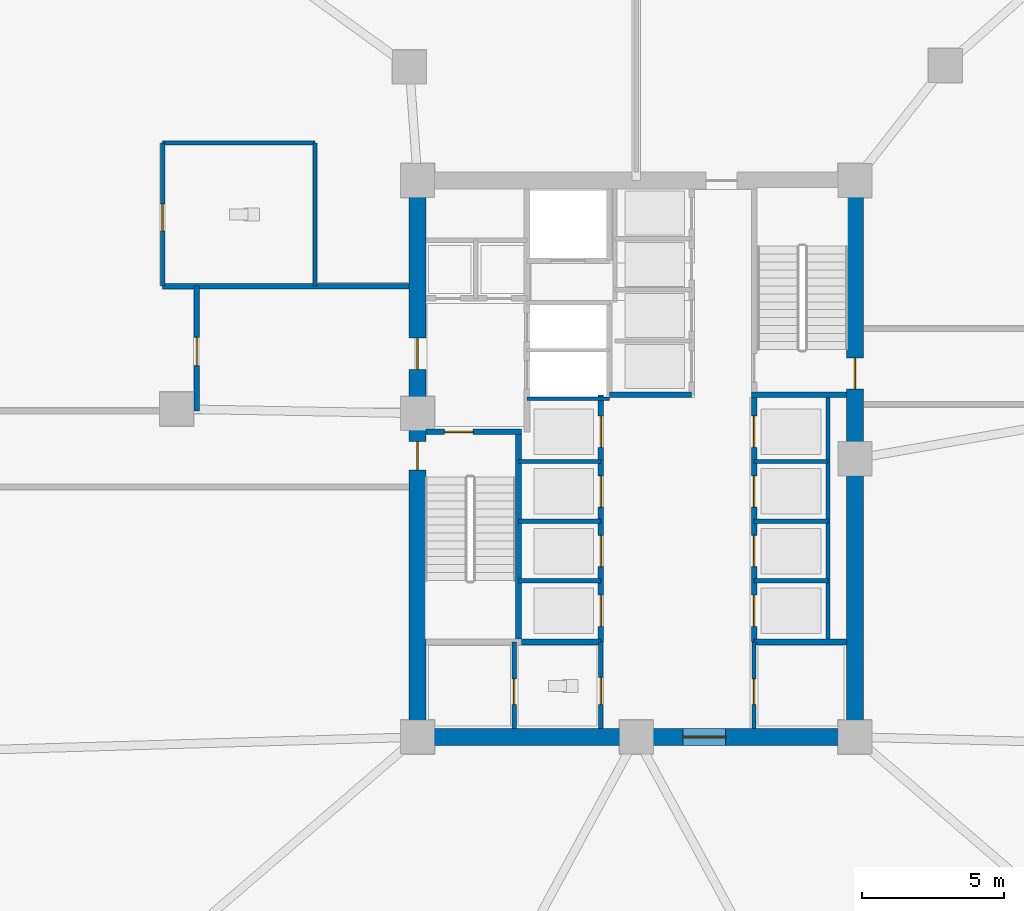
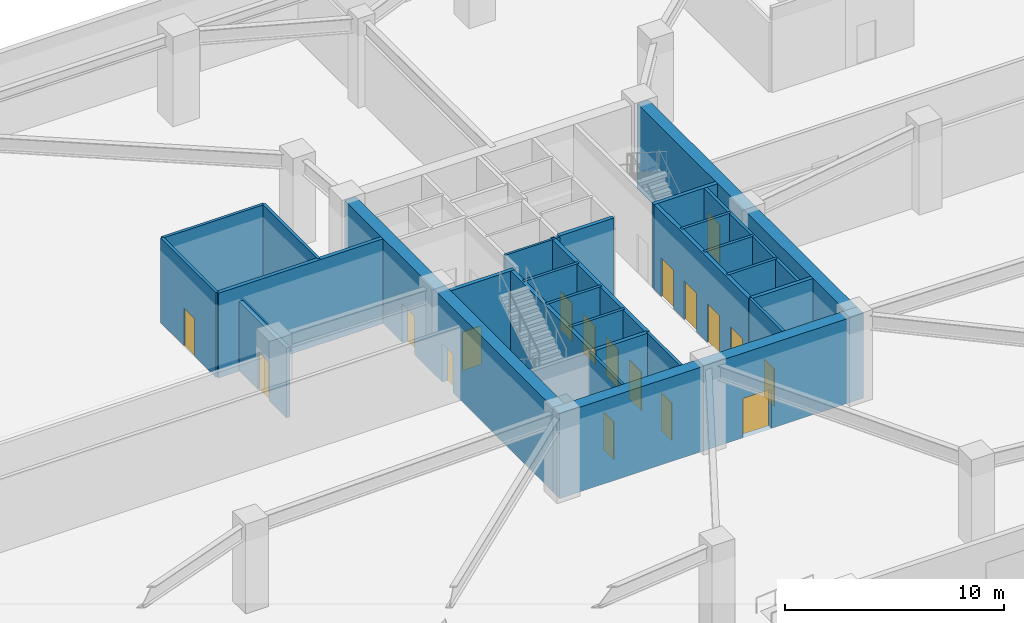
# One storey, part 10 of 22: 27 walls, 18 doors, 18 openings.
"""IFC4 building model written with IfcOpenShell, lengths in metres."""

from ifc_helpers import new_model, si_unit, direction, frame, frame_2d, origin, place, context, subcontext, project, spatial, rectangle, extrude, material, layer, layer_set, type_object, element, fill, save


model = new_model("IFC4")

# Units and contexts
model_context = context("Model", 3, precision=1e-05, world=origin(), true_north=direction((0.0, 1.0)))
body_context = subcontext(model_context, "Body", "Model", "MODEL_VIEW")
ifc_project = project(units=[si_unit("LENGTHUNIT", "METRE"), si_unit("AREAUNIT", "SQUARE_METRE"), si_unit("VOLUMEUNIT", "CUBIC_METRE"), si_unit("PLANEANGLEUNIT", "RADIAN"), si_unit("MASSUNIT", "GRAM", prefix="KILO")], contexts=[model_context])

# Site, building, storey
site_placement = place(None, origin())
site = spatial("IfcSite", under=ifc_project, at=site_placement, CompositionType="ELEMENT")
building_placement = place(site_placement, origin())
building = spatial("IfcBuilding", under=site, at=building_placement, Name="Savorim Split Tower", CompositionType="ELEMENT")
storey_placement = place(building_placement, origin())
storey = spatial("IfcBuildingStorey", under=building, at=storey_placement, Name="L00", CompositionType="ELEMENT", Elevation=0.0)

# Wall, opening, door
ifc_material_1 = material(Name="Concrete C60/75", Category="concrete")
ifc_layer_1 = layer(ifc_material_1, 0.60009765625)
ifc_layer_set_1 = layer_set([ifc_layer_1], Name="WAL-COR-SH600")
wall_type_1 = type_object("IfcWallType", Name="WAL-COR-SH600", PredefinedType="SHEAR", material=ifc_layer_set_1)
wall_1_placement = place(storey_placement, frame((-8.0, -9.39990234375, 0.0), z_axis=(0.0, 0.0, 1.0), x_axis=(1.0, 0.0, 0.0)))
wall_1 = element("IfcWall", 1, at=wall_1_placement, inside=storey, type_object=wall_type_1, Name="L00 Offset Core South Shear Wall", PredefinedType="SHEAR", context=body_context, shape_type="SweptSolid", body=[
    extrude(rectangle(XDim=16.0, YDim=0.60009765625, at=frame_2d((8.0, 0.0))), origin(), (0.0, 0.0, 1.0), 4.719970703125),
])
opening_1_placement = place(wall_1_placement, frame((9.64990234375, 0.0, 0.0)))
opening_1 = element("IfcOpeningElement", 2, at=opening_1_placement, cuts=wall_1, Name="Opening DI-02", PredefinedType="OPENING", context=body_context, shape_type="SweptSolid", body=[
    extrude(rectangle(XDim=1.5, YDim=2.199951171875, at=frame_2d((0.75, 1.10009765625))), frame((0.0, 0.31005859375, 0.0), z_axis=(0.0, -1.0, 0.0), x_axis=(1.0, 0.0, 0.0)), (0.0, 0.0, 1.0), 0.6201171875),
])
ifc_material_2 = material(Name="Timber Fire Door Leaf", Category="wood")
door_type_1 = type_object("IfcDoorType", Name="DOR-DBL-1500", OperationType="NOTDEFINED", PredefinedType="DOOR", material=ifc_material_2)
door_1_placement = place(opening_1_placement, origin())
door_1 = element("IfcDoor", 3, at=door_1_placement, inside=storey, type_object=door_type_1, Name="DOR-L00-COR-LLOB - L00 Lift Lobby Main Rated Door", OperationType="DOUBLE_DOOR_SINGLE_SWING", OverallHeight=2.199951171875, OverallWidth=1.5, PredefinedType="DOOR", context=body_context, shape_type="SweptSolid", body=[
    extrude(rectangle(XDim=1.5, YDim=2.199951171875, at=frame_2d((0.75, 1.10009765625))), frame((0.0, 0.02490234375, 0.0), z_axis=(0.0, -1.0, 0.0), x_axis=(1.0, 0.0, 0.0)), (0.0, 0.0, 1.0), 0.050048828125),
])
fill(opening_1, door_1)

# Wall, openings, doors
wall_2_placement = place(storey_placement, frame((-7.699951171875, -9.10009765625, 0.0), z_axis=(0.0, 0.0, 1.0), x_axis=(0.0, 1.0, 0.0)))
wall_2 = element("IfcWall", 4, at=wall_2_placement, inside=storey, type_object=wall_type_1, Name="L00 Offset Core West Shear Wall", PredefinedType="SHEAR", context=body_context, shape_type="SweptSolid", body=[
    extrude(rectangle(XDim=19.0, YDim=0.60009765625, at=frame_2d((9.5, 0.0))), origin(), (0.0, 0.0, 1.0), 4.719970703125),
])
opening_2_placement = place(wall_2_placement, frame((12.64990234375, 0.0, 0.0)))
opening_2 = element("IfcOpeningElement", 5, at=opening_2_placement, cuts=wall_2, Name="Opening DI-03", PredefinedType="OPENING", context=body_context, shape_type="SweptSolid", body=[
    extrude(rectangle(XDim=1.10009765625, YDim=2.14990234375, at=frame_2d((0.550048828125, 1.074951171875))), frame((0.0, 0.31005859375, 0.0), z_axis=(0.0, -1.0, 0.0), x_axis=(1.0, 0.0, 0.0)), (0.0, 0.0, 1.0), 0.6201171875),
])
opening_3_placement = place(wall_2_placement, frame((9.10009765625, 0.0, 0.0)))
opening_3 = element("IfcOpeningElement", 6, at=opening_3_placement, cuts=wall_2, Name="Opening DI-04", PredefinedType="OPENING", context=body_context, shape_type="SweptSolid", body=[
    extrude(rectangle(XDim=1.0, YDim=2.14990234375, at=frame_2d((0.5, 1.074951171875))), frame((0.0, 0.31005859375, 0.0), z_axis=(0.0, -1.0, 0.0), x_axis=(1.0, 0.0, 0.0)), (0.0, 0.0, 1.0), 0.6201171875),
])
door_type_2 = type_object("IfcDoorType", Name="DOR-FIR-1000", OperationType="NOTDEFINED", PredefinedType="DOOR", material=ifc_material_2)
door_2_placement = place(opening_3_placement, origin())
door_2 = element("IfcDoor", 7, at=door_2_placement, inside=storey, type_object=door_type_2, Name="DOR-L00-ST1-DISCH - L00 Stair ST-1 Exit Passage Discharge Door", OperationType="SINGLE_SWING_LEFT", OverallHeight=2.14990234375, OverallWidth=1.0, PredefinedType="DOOR", context=body_context, shape_type="SweptSolid", body=[
    extrude(rectangle(XDim=1.0, YDim=2.14990234375, at=frame_2d((0.5, 1.074951171875))), frame((0.0, 0.02490234375, 0.0), z_axis=(0.0, -1.0, 0.0), x_axis=(1.0, 0.0, 0.0)), (0.0, 0.0, 1.0), 0.050048828125),
])
fill(opening_3, door_2)
door_type_3 = type_object("IfcDoorType", Name="DOR-FIR-1100", OperationType="NOTDEFINED", PredefinedType="DOOR", material=ifc_material_2)
door_3_placement = place(opening_2_placement, origin())
door_3 = element("IfcDoor", 8, at=door_3_placement, inside=storey, type_object=door_type_3, Name="DOR-L00-COR-FFLOB - L00 Firefighting Lobby Corridor Door", OperationType="SINGLE_SWING_RIGHT", OverallHeight=2.14990234375, OverallWidth=1.10009765625, PredefinedType="DOOR", context=body_context, shape_type="SweptSolid", body=[
    extrude(rectangle(XDim=1.10009765625, YDim=2.14990234375, at=frame_2d((0.550048828125, 1.074951171875))), frame((0.0, 0.02490234375, 0.0), z_axis=(0.0, -1.0, 0.0), x_axis=(1.0, 0.0, 0.0)), (0.0, 0.0, 1.0), 0.050048828125),
])
fill(opening_2, door_3)

# Wall, opening, door
wall_3_placement = place(storey_placement, frame((7.699951171875, 9.89990234375, 0.0), z_axis=(0.0, 0.0, 1.0), x_axis=(0.0, -1.0, 0.0)))
wall_3 = element("IfcWall", 9, at=wall_3_placement, inside=storey, type_object=wall_type_1, Name="L00 Offset Core East Shear Wall", PredefinedType="SHEAR", context=body_context, shape_type="SweptSolid", body=[
    extrude(rectangle(XDim=19.0, YDim=0.60009765625, at=frame_2d((9.5, 0.0))), origin(), (0.0, 0.0, 1.0), 4.719970703125),
])
opening_4_placement = place(wall_3_placement, frame((5.949951171875, 0.0, 0.0)))
opening_4 = element("IfcOpeningElement", 10, at=opening_4_placement, cuts=wall_3, Name="Opening DI-03", PredefinedType="OPENING", context=body_context, shape_type="SweptSolid", body=[
    extrude(rectangle(XDim=1.10009765625, YDim=2.14990234375, at=frame_2d((0.550048828125, 1.074951171875))), frame((0.0, 0.31005859375, 0.0), z_axis=(0.0, -1.0, 0.0), x_axis=(1.0, 0.0, 0.0)), (0.0, 0.0, 1.0), 0.6201171875),
])
door_4_placement = place(opening_4_placement, origin())
door_4 = element("IfcDoor", 11, at=door_4_placement, inside=storey, type_object=door_type_3, Name="DOR-L00-ST2-DISCH - L00 Stair ST-2 Exit Passage Discharge Door", OperationType="SINGLE_SWING_LEFT", OverallHeight=2.14990234375, OverallWidth=1.10009765625, PredefinedType="DOOR", context=body_context, shape_type="SweptSolid", body=[
    extrude(rectangle(XDim=1.10009765625, YDim=2.14990234375, at=frame_2d((0.550048828125, 1.074951171875))), frame((0.0, 0.02490234375, 0.0), z_axis=(0.0, -1.0, 0.0), x_axis=(1.0, 0.0, 0.0)), (0.0, 0.0, 1.0), 0.050048828125),
])
fill(opening_4, door_4)

ifc_material_3 = material(Name="Concrete C50/60", Category="concrete")
ifc_layer_2 = layer(ifc_material_3, 0.199951171875)
ifc_layer_set_2 = layer_set([ifc_layer_2], Name="WAL-INT-RC200")
wall_type_2 = type_object("IfcWallType", Name="WAL-INT-RC200", PredefinedType="SOLIDWALL", material=ifc_layer_set_2)
wall_4_placement = place(storey_placement, frame((-7.39990234375, 1.35009765625, 0.0), z_axis=(0.0, 0.0, 1.0), x_axis=(1.0, 0.0, 0.0)))
wall_4 = element("IfcWall", 12, at=wall_4_placement, inside=storey, type_object=wall_type_2, Name="L00 Structural Shaft Wall W-L00-CR01", PredefinedType="SOLIDWALL", context=body_context, shape_type="SweptSolid", body=[
    extrude(rectangle(XDim=3.349853515625, YDim=0.199951171875, at=frame_2d((1.6748046875, 0.0))), origin(), (0.0, 0.0, 1.0), 4.719970703125),
])
opening_5_placement = place(wall_4_placement, frame((0.64990234375, 0.0, 0.0)))
opening_5 = element("IfcOpeningElement", 13, at=opening_5_placement, cuts=wall_4, Name="Opening DI-04", PredefinedType="OPENING", context=body_context, shape_type="SweptSolid", body=[
    extrude(rectangle(XDim=1.0, YDim=2.14990234375, at=frame_2d((0.5, 1.074951171875))), frame((0.0, 0.10986328125, 0.0), z_axis=(0.0, -1.0, 0.0), x_axis=(1.0, 0.0, 0.0)), (0.0, 0.0, 1.0), 0.219970703125),
])
door_5_placement = place(opening_5_placement, origin())
door_5 = element("IfcDoor", 14, at=door_5_placement, inside=storey, type_object=door_type_2, Name="DR-L00-ST1 - L00 Stair ST-1 Enclosure Door", OperationType="SINGLE_SWING_LEFT", OverallHeight=2.14990234375, OverallWidth=1.0, PredefinedType="DOOR", context=body_context, shape_type="SweptSolid", body=[
    extrude(rectangle(XDim=1.0, YDim=2.14990234375, at=frame_2d((0.5, 1.074951171875))), frame((0.0, 0.02490234375, 0.0), z_axis=(0.0, -1.0, 0.0), x_axis=(1.0, 0.0, 0.0)), (0.0, 0.0, 1.0), 0.050048828125),
])
fill(opening_5, door_5)

# Walls
wall_5_placement = place(storey_placement, frame((-4.14990234375, -5.949951171875, 0.0), z_axis=(0.0, 0.0, 1.0), x_axis=(0.0, 1.0, 0.0)))
element("IfcWall", 15, at=wall_5_placement, inside=storey, type_object=wall_type_2, Name="L00 Structural Shaft Wall W-L00-CR02", PredefinedType="SOLIDWALL", context=body_context, shape_type="SweptSolid", body=[
    extrude(rectangle(XDim=7.199951171875, YDim=0.199951171875, at=frame_2d((3.60009765625, 0.0))), origin(), (0.0, 0.0, 1.0), 4.719970703125),
])
wall_6_placement = place(storey_placement, frame((4.050048828125, 2.64990234375, 0.0), z_axis=(0.0, 0.0, 1.0), x_axis=(1.0, 0.0, 0.0)))
element("IfcWall", 16, at=wall_6_placement, inside=storey, type_object=wall_type_2, Name="L00 Structural Shaft Wall W-L00-CR08", PredefinedType="SOLIDWALL", context=body_context, shape_type="SweptSolid", body=[
    extrude(rectangle(XDim=3.349853515625, YDim=0.199951171875, at=frame_2d((1.6748046875, 0.0))), origin(), (0.0, 0.0, 1.0), 4.719970703125),
])

# Wall, openings, doors
wall_7_placement = place(storey_placement, frame((4.14990234375, -6.050048828125, 0.0), z_axis=(0.0, 0.0, 1.0), x_axis=(0.0, 1.0, 0.0)))
wall_7 = element("IfcWall", 17, at=wall_7_placement, inside=storey, type_object=wall_type_2, Name="L00 Partition W-L00-B1FRONT", PredefinedType="SOLIDWALL", context=body_context, shape_type="SweptSolid", body=[
    extrude(rectangle(XDim=8.699951171875, YDim=0.199951171875, at=frame_2d((4.35009765625, 0.0))), origin(), (0.0, 0.0, 1.0), 4.719970703125),
])
opening_6_placement = place(wall_7_placement, frame((0.550048828125, 0.0, 0.0)))
opening_6 = element("IfcOpeningElement", 18, at=opening_6_placement, cuts=wall_7, Name="Opening LD-01", PredefinedType="OPENING", context=body_context, shape_type="SweptSolid", body=[
    extrude(rectangle(XDim=1.10009765625, YDim=2.14990234375, at=frame_2d((0.550048828125, 1.074951171875))), frame((0.0, 0.10986328125, 0.0), z_axis=(0.0, -1.0, 0.0), x_axis=(1.0, 0.0, 0.0)), (0.0, 0.0, 1.0), 0.219970703125),
])
opening_7_placement = place(wall_7_placement, frame((2.64990234375, 0.0, 0.0)))
opening_7 = element("IfcOpeningElement", 19, at=opening_7_placement, cuts=wall_7, Name="Opening LD-01", PredefinedType="OPENING", context=body_context, shape_type="SweptSolid", body=[
    extrude(rectangle(XDim=1.10009765625, YDim=2.14990234375, at=frame_2d((0.550048828125, 1.074951171875))), frame((0.0, 0.10986328125, 0.0), z_axis=(0.0, -1.0, 0.0), x_axis=(1.0, 0.0, 0.0)), (0.0, 0.0, 1.0), 0.219970703125),
])
opening_8_placement = place(wall_7_placement, frame((4.75, 0.0, 0.0)))
opening_8 = element("IfcOpeningElement", 20, at=opening_8_placement, cuts=wall_7, Name="Opening LD-01", PredefinedType="OPENING", context=body_context, shape_type="SweptSolid", body=[
    extrude(rectangle(XDim=1.10009765625, YDim=2.14990234375, at=frame_2d((0.550048828125, 1.074951171875))), frame((0.0, 0.10986328125, 0.0), z_axis=(0.0, -1.0, 0.0), x_axis=(1.0, 0.0, 0.0)), (0.0, 0.0, 1.0), 0.219970703125),
])
opening_9_placement = place(wall_7_placement, frame((6.85009765625, 0.0, 0.0)))
opening_9 = element("IfcOpeningElement", 21, at=opening_9_placement, cuts=wall_7, Name="Opening LD-01", PredefinedType="OPENING", context=body_context, shape_type="SweptSolid", body=[
    extrude(rectangle(XDim=1.10009765625, YDim=2.14990234375, at=frame_2d((0.550048828125, 1.074951171875))), frame((0.0, 0.10986328125, 0.0), z_axis=(0.0, -1.0, 0.0), x_axis=(1.0, 0.0, 0.0)), (0.0, 0.0, 1.0), 0.219970703125),
])
ifc_material_4 = material(Name="Charcoal Anodised Aluminium", Category="aluminium")
door_type_4 = type_object("IfcDoorType", Name="DOR-SLD-LD1100", OperationType="NOTDEFINED", PredefinedType="DOOR", material=ifc_material_4)
door_6_placement = place(opening_6_placement, origin())
door_6 = element("IfcDoor", 22, at=door_6_placement, inside=storey, type_object=door_type_4, Name="DR-L00-LD-PLL1 - L00 Lift PL-L1 Sliding Landing Door", OperationType="DOUBLE_DOOR_SLIDING", OverallHeight=2.14990234375, OverallWidth=1.10009765625, PredefinedType="DOOR", context=body_context, shape_type="SweptSolid", body=[
    extrude(rectangle(XDim=1.10009765625, YDim=2.14990234375, at=frame_2d((0.550048828125, 1.074951171875))), frame((0.0, 0.02490234375, 0.0), z_axis=(0.0, -1.0, 0.0), x_axis=(1.0, 0.0, 0.0)), (0.0, 0.0, 1.0), 0.050048828125),
])
fill(opening_6, door_6)
door_7_placement = place(opening_7_placement, origin())
door_7 = element("IfcDoor", 23, at=door_7_placement, inside=storey, type_object=door_type_4, Name="DR-L00-LD-PLL2 - L00 Lift PL-L2 Sliding Landing Door", OperationType="DOUBLE_DOOR_SLIDING", OverallHeight=2.14990234375, OverallWidth=1.10009765625, PredefinedType="DOOR", context=body_context, shape_type="SweptSolid", body=[
    extrude(rectangle(XDim=1.10009765625, YDim=2.14990234375, at=frame_2d((0.550048828125, 1.074951171875))), frame((0.0, 0.02490234375, 0.0), z_axis=(0.0, -1.0, 0.0), x_axis=(1.0, 0.0, 0.0)), (0.0, 0.0, 1.0), 0.050048828125),
])
fill(opening_7, door_7)
door_8_placement = place(opening_8_placement, origin())
door_8 = element("IfcDoor", 24, at=door_8_placement, inside=storey, type_object=door_type_4, Name="DR-L00-LD-PLL3 - L00 Lift PL-L3 Sliding Landing Door", OperationType="DOUBLE_DOOR_SLIDING", OverallHeight=2.14990234375, OverallWidth=1.10009765625, PredefinedType="DOOR", context=body_context, shape_type="SweptSolid", body=[
    extrude(rectangle(XDim=1.10009765625, YDim=2.14990234375, at=frame_2d((0.550048828125, 1.074951171875))), frame((0.0, 0.02490234375, 0.0), z_axis=(0.0, -1.0, 0.0), x_axis=(1.0, 0.0, 0.0)), (0.0, 0.0, 1.0), 0.050048828125),
])
fill(opening_8, door_8)
door_9_placement = place(opening_9_placement, origin())
door_9 = element("IfcDoor", 25, at=door_9_placement, inside=storey, type_object=door_type_4, Name="DR-L00-LD-PLL4 - L00 Lift PL-L4 Sliding Landing Door", OperationType="DOUBLE_DOOR_SLIDING", OverallHeight=2.14990234375, OverallWidth=1.10009765625, PredefinedType="DOOR", context=body_context, shape_type="SweptSolid", body=[
    extrude(rectangle(XDim=1.10009765625, YDim=2.14990234375, at=frame_2d((0.550048828125, 1.074951171875))), frame((0.0, 0.02490234375, 0.0), z_axis=(0.0, -1.0, 0.0), x_axis=(1.0, 0.0, 0.0)), (0.0, 0.0, 1.0), 0.050048828125),
])
fill(opening_9, door_9)

wall_8_placement = place(storey_placement, frame((-1.25, -6.050048828125, 0.0), z_axis=(0.0, 0.0, 1.0), x_axis=(0.0, 1.0, 0.0)))
wall_8 = element("IfcWall", 26, at=wall_8_placement, inside=storey, type_object=wall_type_2, Name="L00 Partition W-L00-B2FRONT", PredefinedType="SOLIDWALL", context=body_context, shape_type="SweptSolid", body=[
    extrude(rectangle(XDim=8.699951171875, YDim=0.199951171875, at=frame_2d((4.35009765625, 0.0))), origin(), (0.0, 0.0, 1.0), 4.719970703125),
])
opening_10_placement = place(wall_8_placement, frame((0.550048828125, 0.0, 0.0)))
opening_10 = element("IfcOpeningElement", 27, at=opening_10_placement, cuts=wall_8, Name="Opening LD-02", PredefinedType="OPENING", context=body_context, shape_type="SweptSolid", body=[
    extrude(rectangle(XDim=1.10009765625, YDim=2.14990234375, at=frame_2d((0.550048828125, 1.074951171875))), frame((0.0, 0.10986328125, 0.0), z_axis=(0.0, -1.0, 0.0), x_axis=(1.0, 0.0, 0.0)), (0.0, 0.0, 1.0), 0.219970703125),
])
opening_11_placement = place(wall_8_placement, frame((2.64990234375, 0.0, 0.0)))
opening_11 = element("IfcOpeningElement", 28, at=opening_11_placement, cuts=wall_8, Name="Opening LD-02", PredefinedType="OPENING", context=body_context, shape_type="SweptSolid", body=[
    extrude(rectangle(XDim=1.10009765625, YDim=2.14990234375, at=frame_2d((0.550048828125, 1.074951171875))), frame((0.0, 0.10986328125, 0.0), z_axis=(0.0, -1.0, 0.0), x_axis=(1.0, 0.0, 0.0)), (0.0, 0.0, 1.0), 0.219970703125),
])
opening_12_placement = place(wall_8_placement, frame((4.75, 0.0, 0.0)))
opening_12 = element("IfcOpeningElement", 29, at=opening_12_placement, cuts=wall_8, Name="Opening LD-02", PredefinedType="OPENING", context=body_context, shape_type="SweptSolid", body=[
    extrude(rectangle(XDim=1.10009765625, YDim=2.14990234375, at=frame_2d((0.550048828125, 1.074951171875))), frame((0.0, 0.10986328125, 0.0), z_axis=(0.0, -1.0, 0.0), x_axis=(1.0, 0.0, 0.0)), (0.0, 0.0, 1.0), 0.219970703125),
])
opening_13_placement = place(wall_8_placement, frame((6.85009765625, 0.0, 0.0)))
opening_13 = element("IfcOpeningElement", 30, at=opening_13_placement, cuts=wall_8, Name="Opening LD-02", PredefinedType="OPENING", context=body_context, shape_type="SweptSolid", body=[
    extrude(rectangle(XDim=1.10009765625, YDim=2.14990234375, at=frame_2d((0.550048828125, 1.074951171875))), frame((0.0, 0.10986328125, 0.0), z_axis=(0.0, -1.0, 0.0), x_axis=(1.0, 0.0, 0.0)), (0.0, 0.0, 1.0), 0.219970703125),
])
door_type_5 = type_object("IfcDoorType", Name="DOR-SLD-LDM1100", OperationType="NOTDEFINED", PredefinedType="DOOR", material=ifc_material_4)
door_10_placement = place(opening_10_placement, origin())
door_10 = element("IfcDoor", 31, at=door_10_placement, inside=storey, type_object=door_type_5, Name="DR-L00-LD-PLM1 - L00 Lift PL-M1 Sliding Landing Door", OperationType="DOUBLE_DOOR_SLIDING", OverallHeight=2.14990234375, OverallWidth=1.10009765625, PredefinedType="DOOR", context=body_context, shape_type="SweptSolid", body=[
    extrude(rectangle(XDim=1.10009765625, YDim=2.14990234375, at=frame_2d((0.550048828125, 1.074951171875))), frame((0.0, 0.02490234375, 0.0), z_axis=(0.0, -1.0, 0.0), x_axis=(1.0, 0.0, 0.0)), (0.0, 0.0, 1.0), 0.050048828125),
])
fill(opening_10, door_10)
door_11_placement = place(opening_11_placement, origin())
door_11 = element("IfcDoor", 32, at=door_11_placement, inside=storey, type_object=door_type_5, Name="DR-L00-LD-PLM2 - L00 Lift PL-M2 Sliding Landing Door", OperationType="DOUBLE_DOOR_SLIDING", OverallHeight=2.14990234375, OverallWidth=1.10009765625, PredefinedType="DOOR", context=body_context, shape_type="SweptSolid", body=[
    extrude(rectangle(XDim=1.10009765625, YDim=2.14990234375, at=frame_2d((0.550048828125, 1.074951171875))), frame((0.0, 0.02490234375, 0.0), z_axis=(0.0, -1.0, 0.0), x_axis=(1.0, 0.0, 0.0)), (0.0, 0.0, 1.0), 0.050048828125),
])
fill(opening_11, door_11)
door_12_placement = place(opening_12_placement, origin())
door_12 = element("IfcDoor", 33, at=door_12_placement, inside=storey, type_object=door_type_5, Name="DR-L00-LD-PLM3 - L00 Lift PL-M3 Sliding Landing Door", OperationType="DOUBLE_DOOR_SLIDING", OverallHeight=2.14990234375, OverallWidth=1.10009765625, PredefinedType="DOOR", context=body_context, shape_type="SweptSolid", body=[
    extrude(rectangle(XDim=1.10009765625, YDim=2.14990234375, at=frame_2d((0.550048828125, 1.074951171875))), frame((0.0, 0.02490234375, 0.0), z_axis=(0.0, -1.0, 0.0), x_axis=(1.0, 0.0, 0.0)), (0.0, 0.0, 1.0), 0.050048828125),
])
fill(opening_12, door_12)
door_13_placement = place(opening_13_placement, origin())
door_13 = element("IfcDoor", 34, at=door_13_placement, inside=storey, type_object=door_type_5, Name="DR-L00-LD-PLM4 - L00 Lift PL-M4 Sliding Landing Door", OperationType="DOUBLE_DOOR_SLIDING", OverallHeight=2.14990234375, OverallWidth=1.10009765625, PredefinedType="DOOR", context=body_context, shape_type="SweptSolid", body=[
    extrude(rectangle(XDim=1.10009765625, YDim=2.14990234375, at=frame_2d((0.550048828125, 1.074951171875))), frame((0.0, 0.02490234375, 0.0), z_axis=(0.0, -1.0, 0.0), x_axis=(1.0, 0.0, 0.0)), (0.0, 0.0, 1.0), 0.050048828125),
])
fill(opening_13, door_13)

# Walls
wall_9_placement = place(storey_placement, frame((-0.949951171875, 2.64990234375, 0.0), z_axis=(0.0, 0.0, 1.0), x_axis=(1.0, 0.0, 0.0)))
element("IfcWall", 35, at=wall_9_placement, inside=storey, type_object=wall_type_2, Name="L00 Partition W-L00-B3SOUTH", PredefinedType="SOLIDWALL", context=body_context, shape_type="SweptSolid", body=[
    extrude(rectangle(XDim=2.89990234375, YDim=0.199951171875, at=frame_2d((1.449951171875, 0.0))), origin(), (0.0, 0.0, 1.0), 4.719970703125),
])
wall_10_placement = place(storey_placement, frame((-4.0400390625, -6.050048828125, 0.0), z_axis=(0.0, 0.0, 1.0), x_axis=(1.0, 0.0, 0.0)))
element("IfcWall", 36, at=wall_10_placement, inside=storey, type_object=wall_type_2, Name="L00 Partition W-L00-KSEP-W2", PredefinedType="SOLIDWALL", context=body_context, shape_type="SweptSolid", body=[
    extrude(rectangle(XDim=2.7900390625, YDim=0.199951171875, at=frame_2d((1.39501953125, 0.0))), origin(), (0.0, 0.0, 1.0), 4.719970703125),
])
wall_11_placement = place(storey_placement, frame((4.14990234375, -6.050048828125, 0.0), z_axis=(0.0, 0.0, 1.0), x_axis=(1.0, 0.0, 0.0)))
element("IfcWall", 37, at=wall_11_placement, inside=storey, type_object=wall_type_2, Name="L00 Partition W-L00-KSEP-E", PredefinedType="SOLIDWALL", context=body_context, shape_type="SweptSolid", body=[
    extrude(rectangle(XDim=3.2451171875, YDim=0.199951171875, at=frame_2d((1.62255859375, 0.0))), origin(), (0.0, 0.0, 1.0), 4.719970703125),
])

# Wall, opening, door
wall_12_placement = place(storey_placement, frame((-15.47998046875, 2.080078125, 0.0), z_axis=(0.0, 0.0, 1.0), x_axis=(0.0, 1.0, 0.0)))
wall_12 = element("IfcWall", 38, at=wall_12_placement, inside=storey, type_object=wall_type_2, Name="L00 Partition W-L00-FCRW", PredefinedType="SOLIDWALL", context=body_context, shape_type="SweptSolid", body=[
    extrude(rectangle(XDim=4.39990234375, YDim=0.199951171875, at=frame_2d((2.199951171875, 0.0))), origin(), (0.0, 0.0, 1.0), 3.881103515625),
])
opening_14_placement = place(wall_12_placement, frame((1.60009765625, 0.0, 0.0)))
opening_14 = element("IfcOpeningElement", 39, at=opening_14_placement, cuts=wall_12, Name="Opening DI-04", PredefinedType="OPENING", context=body_context, shape_type="SweptSolid", body=[
    extrude(rectangle(XDim=1.0, YDim=2.14990234375, at=frame_2d((0.5, 1.074951171875))), frame((0.0, 0.10986328125, 0.0), z_axis=(0.0, -1.0, 0.0), x_axis=(1.0, 0.0, 0.0)), (0.0, 0.0, 1.0), 0.219970703125),
])
door_14_placement = place(opening_14_placement, origin())
door_14 = element("IfcDoor", 40, at=door_14_placement, inside=storey, type_object=door_type_2, Name="DR-L00-FCR - L00 Fire Command Room Door", OperationType="SINGLE_SWING_LEFT", OverallHeight=2.14990234375, OverallWidth=1.0, PredefinedType="DOOR", context=body_context, shape_type="SweptSolid", body=[
    extrude(rectangle(XDim=1.0, YDim=2.14990234375, at=frame_2d((0.5, 1.074951171875))), frame((0.0, 0.02490234375, 0.0), z_axis=(0.0, -1.0, 0.0), x_axis=(1.0, 0.0, 0.0)), (0.0, 0.0, 1.0), 0.050048828125),
])
fill(opening_14, door_14)

# Walls
wall_13_placement = place(storey_placement, frame((-16.679931640625, 6.47998046875, 0.0), z_axis=(0.0, 0.0, 1.0), x_axis=(1.0, 0.0, 0.0)))
element("IfcWall", 41, at=wall_13_placement, inside=storey, type_object=wall_type_2, Name="L00 Partition W-L00-FCRN", PredefinedType="SOLIDWALL", context=body_context, shape_type="SweptSolid", body=[
    extrude(rectangle(XDim=8.679931640625, YDim=0.199951171875, at=frame_2d((4.33984375, 0.0))), origin(), (0.0, 0.0, 1.0), 4.719970703125),
])
ifc_material_5 = material(Name="Acoustic Gypsum Partition Board")
ifc_layer_3 = layer(ifc_material_5, 0.1201171875)
ifc_layer_set_3 = layer_set([ifc_layer_3], Name="WAL-PAR-120")
wall_type_3 = type_object("IfcWallType", Name="WAL-PAR-120", PredefinedType="PARTITIONING", material=ifc_layer_set_3)
wall_14_placement = place(storey_placement, frame((-3.85009765625, 2.52001953125, 0.0), z_axis=(0.0, 0.0, 1.0), x_axis=(1.0, 0.0, 0.0)))
element("IfcWall", 42, at=wall_14_placement, inside=storey, type_object=wall_type_3, Name="L00 Partition W-L00-FFLD0", PredefinedType="PARTITIONING", context=body_context, shape_type="SweptSolid", body=[
    extrude(rectangle(XDim=2.900146484375, YDim=0.1201171875, at=frame_2d((1.4501953125, 0.0))), origin(), (0.0, 0.0, 1.0), 4.719970703125),
])
ifc_layer_4 = layer(ifc_material_5, 0.14990234375)
ifc_layer_set_4 = layer_set([ifc_layer_4], Name="WAL-PAR-150")
wall_type_4 = type_object("IfcWallType", Name="WAL-PAR-150", PredefinedType="PARTITIONING", material=ifc_layer_set_4)
wall_15_placement = place(storey_placement, frame((6.75, -6.050048828125, 0.0), z_axis=(0.0, 0.0, 1.0), x_axis=(0.0, 1.0, 0.0)))
element("IfcWall", 43, at=wall_15_placement, inside=storey, type_object=wall_type_4, Name="L00 Partition W-L00-B1BACK", PredefinedType="PARTITIONING", context=body_context, shape_type="SweptSolid", body=[
    extrude(rectangle(XDim=8.699951171875, YDim=0.14990234375, at=frame_2d((4.35009765625, 0.0))), origin(), (0.0, 0.0, 1.0), 4.719970703125),
])
for number, where, z_axis, x_axis, name in (
    (44, (4.14990234375, -3.89990234375, 0.0), (0.0, 0.0, 1.0), (1.0, 0.0, 0.0), "L00 Partition W-L00-B1DIV1"),
    (45, (4.14990234375, -1.800048828125, 0.0), (0.0, 0.0, 1.0), (1.0, 0.0, 0.0), "L00 Partition W-L00-B1DIV2"),
    (46, (4.14990234375, 0.300048828125, 0.0), (0.0, 0.0, 1.0), (1.0, 0.0, 0.0), "L00 Partition W-L00-B1DIV3"),
):
    element("IfcWall", number, at=place(storey_placement, frame(where, z_axis=z_axis, x_axis=x_axis)), inside=storey, type_object=wall_type_4, Name=name, PredefinedType="PARTITIONING", context=body_context, shape_type="SweptSolid", body=[
        extrude(rectangle(XDim=2.60009765625, YDim=0.14990234375, at=frame_2d((1.300048828125, 0.0))), origin(), (0.0, 0.0, 1.0), 4.719970703125),
    ])
for number, where, z_axis, x_axis, name in (
    (47, (-4.14990234375, -3.89990234375, 0.0), (0.0, 0.0, 1.0), (1.0, 0.0, 0.0), "L00 Partition W-L00-B2DIV1"),
    (48, (-4.14990234375, -1.800048828125, 0.0), (0.0, 0.0, 1.0), (1.0, 0.0, 0.0), "L00 Partition W-L00-B2DIV2"),
    (49, (-4.14990234375, 0.300048828125, 0.0), (0.0, 0.0, 1.0), (1.0, 0.0, 0.0), "L00 Partition W-L00-B2DIV3"),
):
    element("IfcWall", number, at=place(storey_placement, frame(where, z_axis=z_axis, x_axis=x_axis)), inside=storey, type_object=wall_type_4, Name=name, PredefinedType="PARTITIONING", context=body_context, shape_type="SweptSolid", body=[
        extrude(rectangle(XDim=2.89990234375, YDim=0.14990234375, at=frame_2d((1.449951171875, 0.0))), origin(), (0.0, 0.0, 1.0), 4.719970703125),
    ])

# Wall, opening, door
wall_16_placement = place(storey_placement, frame((-1.25, -9.094970703125, 0.0), z_axis=(0.0, 0.0, 1.0), x_axis=(0.0, 1.0, 0.0)))
wall_16 = element("IfcWall", 50, at=wall_16_placement, inside=storey, type_object=wall_type_4, Name="L00 Partition W-L00-KLOB-W", PredefinedType="PARTITIONING", context=body_context, shape_type="SweptSolid", body=[
    extrude(rectangle(XDim=3.044921875, YDim=0.14990234375, at=frame_2d((1.5224609375, 0.0))), origin(), (0.0, 0.0, 1.0), 4.719970703125),
])
opening_15_placement = place(wall_16_placement, frame((0.844970703125, 0.0, 0.0)))
opening_15 = element("IfcOpeningElement", 51, at=opening_15_placement, cuts=wall_16, Name="Opening DI-10", PredefinedType="OPENING", context=body_context, shape_type="SweptSolid", body=[
    extrude(rectangle(XDim=0.949951171875, YDim=2.10009765625, at=frame_2d((0.47509765625, 1.050048828125))), frame((0.0, 0.0849609375, 0.0), z_axis=(0.0, -1.0, 0.0), x_axis=(1.0, 0.0, 0.0)), (0.0, 0.0, 1.0), 0.169921875),
])
ifc_material_6 = material(Name="Oak Veneer Acoustic Door")
door_type_6 = type_object("IfcDoorType", Name="DOR-WC-950", OperationType="NOTDEFINED", PredefinedType="DOOR", material=ifc_material_6)
door_15_placement = place(opening_15_placement, origin())
door_15 = element("IfcDoor", 52, at=door_15_placement, inside=storey, type_object=door_type_6, Name="DR-L00-K1WC - L00 Core Accessible WC Door", OperationType="SINGLE_SWING_LEFT", OverallHeight=2.10009765625, OverallWidth=0.949951171875, PredefinedType="DOOR", context=body_context, shape_type="SweptSolid", body=[
    extrude(rectangle(XDim=0.949951171875, YDim=2.10009765625, at=frame_2d((0.47509765625, 1.050048828125))), frame((0.0, 0.02490234375, 0.0), z_axis=(0.0, -1.0, 0.0), x_axis=(1.0, 0.0, 0.0)), (0.0, 0.0, 1.0), 0.050048828125),
])
fill(opening_15, door_15)

wall_17_placement = place(storey_placement, frame((4.14990234375, -9.094970703125, 0.0), z_axis=(0.0, 0.0, 1.0), x_axis=(0.0, 1.0, 0.0)))
wall_17 = element("IfcWall", 53, at=wall_17_placement, inside=storey, type_object=wall_type_4, Name="L00 Partition W-L00-KLOB-E", PredefinedType="PARTITIONING", context=body_context, shape_type="SweptSolid", body=[
    extrude(rectangle(XDim=3.044921875, YDim=0.14990234375, at=frame_2d((1.5224609375, 0.0))), origin(), (0.0, 0.0, 1.0), 4.719970703125),
])
opening_16_placement = place(wall_17_placement, frame((0.844970703125, 0.0, 0.0)))
opening_16 = element("IfcOpeningElement", 54, at=opening_16_placement, cuts=wall_17, Name="Opening DI-06", PredefinedType="OPENING", context=body_context, shape_type="SweptSolid", body=[
    extrude(rectangle(XDim=0.89990234375, YDim=2.10009765625, at=frame_2d((0.449951171875, 1.050048828125))), frame((0.0, 0.0849609375, 0.0), z_axis=(0.0, -1.0, 0.0), x_axis=(1.0, 0.0, 0.0)), (0.0, 0.0, 1.0), 0.169921875),
])
door_type_7 = type_object("IfcDoorType", Name="DOR-FIR-900", OperationType="NOTDEFINED", PredefinedType="DOOR", material=ifc_material_2)
door_16_placement = place(opening_16_placement, origin())
door_16 = element("IfcDoor", 55, at=door_16_placement, inside=storey, type_object=door_type_7, Name="DR-L00-K1IT - L00 Core IT Room Door", OperationType="SINGLE_SWING_LEFT", OverallHeight=2.10009765625, OverallWidth=0.89990234375, PredefinedType="DOOR", context=body_context, shape_type="SweptSolid", body=[
    extrude(rectangle(XDim=0.89990234375, YDim=2.10009765625, at=frame_2d((0.449951171875, 1.050048828125))), frame((0.0, 0.02490234375, 0.0), z_axis=(0.0, -1.0, 0.0), x_axis=(1.0, 0.0, 0.0)), (0.0, 0.0, 1.0), 0.050048828125),
])
fill(opening_16, door_16)

wall_18_placement = place(storey_placement, frame((-4.300048828125, -9.094970703125, 0.0), z_axis=(0.0, 0.0, 1.0), x_axis=(0.0, 1.0, 0.0)))
wall_18 = element("IfcWall", 56, at=wall_18_placement, inside=storey, type_object=wall_type_4, Name="L00 Partition W-L00-K1W", PredefinedType="PARTITIONING", context=body_context, shape_type="SweptSolid", body=[
    extrude(rectangle(XDim=3.044921875, YDim=0.14990234375, at=frame_2d((1.5224609375, 0.0))), origin(), (0.0, 0.0, 1.0), 4.719970703125),
])
opening_17_placement = place(wall_18_placement, frame((0.844970703125, 0.0, 0.0)))
opening_17 = element("IfcOpeningElement", 57, at=opening_17_placement, cuts=wall_18, Name="Opening DI-06", PredefinedType="OPENING", context=body_context, shape_type="SweptSolid", body=[
    extrude(rectangle(XDim=0.89990234375, YDim=2.10009765625, at=frame_2d((0.449951171875, 1.050048828125))), frame((0.0, 0.0849609375, 0.0), z_axis=(0.0, -1.0, 0.0), x_axis=(1.0, 0.0, 0.0)), (0.0, 0.0, 1.0), 0.169921875),
])
door_17_placement = place(opening_17_placement, origin())
door_17 = element("IfcDoor", 58, at=door_17_placement, inside=storey, type_object=door_type_7, Name="DR-L00-K1HK - L00 Housekeeping Store Door", OperationType="SINGLE_SWING_RIGHT", OverallHeight=2.10009765625, OverallWidth=0.89990234375, PredefinedType="DOOR", context=body_context, shape_type="SweptSolid", body=[
    extrude(rectangle(XDim=0.89990234375, YDim=2.10009765625, at=frame_2d((0.449951171875, 1.050048828125))), frame((0.0, 0.02490234375, 0.0), z_axis=(0.0, -1.0, 0.0), x_axis=(1.0, 0.0, 0.0)), (0.0, 0.0, 1.0), 0.050048828125),
])
fill(opening_17, door_17)

wall_19_placement = place(storey_placement, frame((-16.679931640625, 6.47998046875, 0.0), z_axis=(0.0, 0.0, 1.0), x_axis=(0.0, 1.0, 0.0)))
wall_19 = element("IfcWall", 59, at=wall_19_placement, inside=storey, type_object=wall_type_4, Name="L00 Partition W-L00-WCW", PredefinedType="PARTITIONING", context=body_context, shape_type="SweptSolid", body=[
    extrude(rectangle(XDim=5.0400390625, YDim=0.14990234375, at=frame_2d((2.52001953125, 0.0))), origin(), (0.0, 0.0, 1.0), 4.719970703125),
])
opening_18_placement = place(wall_19_placement, frame((1.949951171875, 0.0, 0.0)))
opening_18 = element("IfcOpeningElement", 60, at=opening_18_placement, cuts=wall_19, Name="Opening DI-10", PredefinedType="OPENING", context=body_context, shape_type="SweptSolid", body=[
    extrude(rectangle(XDim=0.949951171875, YDim=2.10009765625, at=frame_2d((0.47509765625, 1.050048828125))), frame((0.0, 0.0849609375, 0.0), z_axis=(0.0, -1.0, 0.0), x_axis=(1.0, 0.0, 0.0)), (0.0, 0.0, 1.0), 0.169921875),
])
door_18_placement = place(opening_18_placement, origin())
door_18 = element("IfcDoor", 61, at=door_18_placement, inside=storey, type_object=door_type_6, Name="DR-L00-PWC - L00 Public WC Door", OperationType="SINGLE_SWING_RIGHT", OverallHeight=2.10009765625, OverallWidth=0.949951171875, PredefinedType="DOOR", context=body_context, shape_type="SweptSolid", body=[
    extrude(rectangle(XDim=0.949951171875, YDim=2.10009765625, at=frame_2d((0.47509765625, 1.050048828125))), frame((0.0, 0.02490234375, 0.0), z_axis=(0.0, -1.0, 0.0), x_axis=(1.0, 0.0, 0.0)), (0.0, 0.0, 1.0), 0.050048828125),
])
fill(opening_18, door_18)

# Walls
wall_20_placement = place(storey_placement, frame((-16.679931640625, 11.52001953125, 0.0), z_axis=(0.0, 0.0, 1.0), x_axis=(1.0, 0.0, 0.0)))
element("IfcWall", 62, at=wall_20_placement, inside=storey, type_object=wall_type_4, Name="L00 Partition W-L00-WCN", PredefinedType="PARTITIONING", context=body_context, shape_type="SweptSolid", body=[
    extrude(rectangle(XDim=5.35986328125, YDim=0.14990234375, at=frame_2d((2.679931640625, 0.0))), origin(), (0.0, 0.0, 1.0), 4.719970703125),
])
wall_21_placement = place(storey_placement, frame((-11.320068359375, 6.47998046875, 0.0), z_axis=(0.0, 0.0, 1.0), x_axis=(0.0, 1.0, 0.0)))
element("IfcWall", 63, at=wall_21_placement, inside=storey, type_object=wall_type_4, Name="L00 Partition W-L00-WCE", PredefinedType="PARTITIONING", context=body_context, shape_type="SweptSolid", body=[
    extrude(rectangle(XDim=5.0400390625, YDim=0.14990234375, at=frame_2d((2.52001953125, 0.0))), origin(), (0.0, 0.0, 1.0), 4.719970703125),
])

save(model, "model.ifc")
